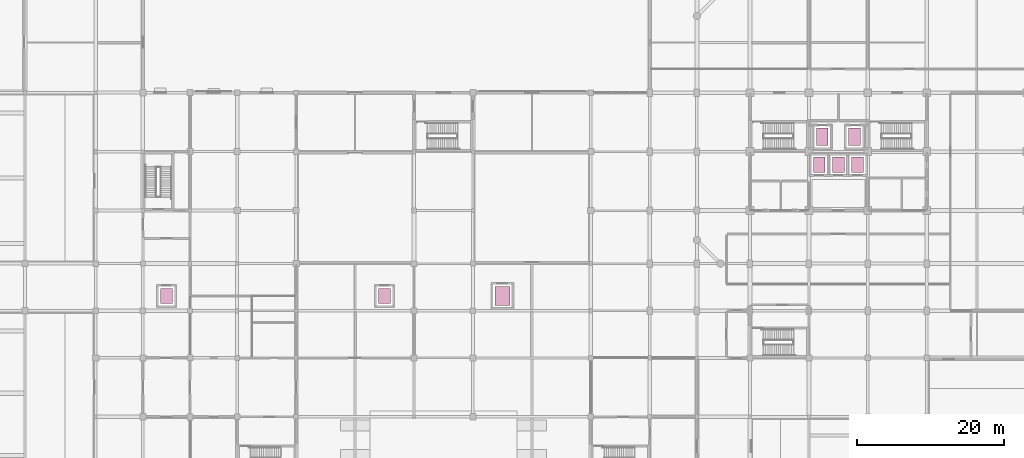
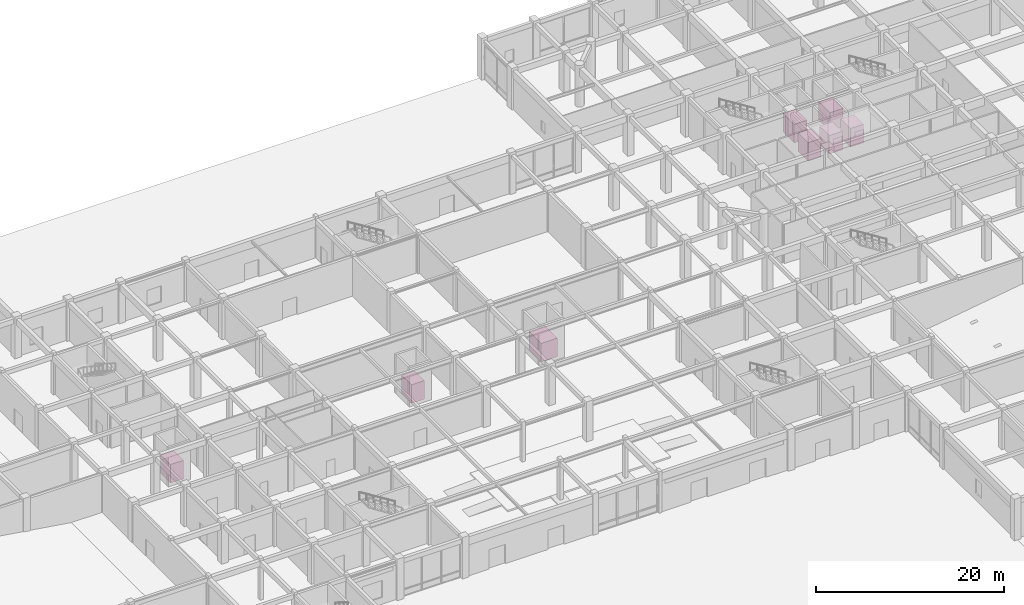
# One storey, part 40 of 40: 8 transport elements.
"""IFC4 building model written with IfcOpenShell, lengths in metres."""

from ifc_helpers import new_model, si_unit, direction, frame, origin, origin_2d, place, context, subcontext, project, spatial, rectangle, extrude, material, type_object, element, save


model = new_model("IFC4")

# Units and contexts
model_context = context("Model", 3, precision=1e-05, world=origin(), true_north=direction((0.0, 1.0)))
body_context = subcontext(model_context, "Body", "Model", "MODEL_VIEW")
ifc_project = project(units=[si_unit("LENGTHUNIT", "METRE"), si_unit("AREAUNIT", "SQUARE_METRE"), si_unit("VOLUMEUNIT", "CUBIC_METRE"), si_unit("PLANEANGLEUNIT", "RADIAN"), si_unit("MASSUNIT", "GRAM", prefix="KILO")], contexts=[model_context])

# Site, building, storey
site_placement = place(None, origin())
site = spatial("IfcSite", under=ifc_project, at=site_placement, CompositionType="ELEMENT")
building_placement = place(site_placement, origin())
building = spatial("IfcBuilding", under=site, at=building_placement, Name="Vellmiral Cinema and Media Centre", CompositionType="ELEMENT")
storey_placement = place(building_placement, origin())
storey = spatial("IfcBuildingStorey", under=building, at=storey_placement, Name="L00", CompositionType="ELEMENT", Elevation=0.0)

# Transport elements
ifc_material_1 = material(Name="Stainless Steel Lift Car Assembly", Category="steel")
transport_element_type_1 = type_object("IfcTransportElementType", Name="LIFT-ELEV-FF", PredefinedType="ELEVATOR", material=ifc_material_1)
for number, where, z_axis, x_axis, name in (
    (1, (133.800048828125, 89.199951171875, 0.0), (0.0, 0.0, 1.0), (1.0, 0.0, 0.0), "Firefighting Lift LF-FF1"),
    (2, (138.199951171875, 89.199951171875, 0.0), (0.0, 0.0, 1.0), (1.0, 0.0, 0.0), "Firefighting Lift LF-FF2"),
):
    element("IfcTransportElement", number, at=place(storey_placement, frame(where, z_axis=z_axis, x_axis=x_axis)), inside=storey, type_object=transport_element_type_1, Name=name, PredefinedType="ELEVATOR", context=body_context, shape_type="SweptSolid", body=[
        extrude(rectangle(XDim=1.60009765625, YDim=2.39990234375, at=origin_2d()), origin(), (0.0, 0.0, 1.0), 2.39990234375),
    ])
ifc_material_2 = material(Name="Heavy-Duty Stainless Steel Goods Lift Car", Category="steel")
transport_element_type_2 = type_object("IfcTransportElementType", Name="LIFT-ELEV-GOODS", PredefinedType="ELEVATOR", material=ifc_material_2)
transport_element_placement = place(storey_placement, frame((90.39990234375, 67.60009765625, 0.0), z_axis=(0.0, 0.0, 1.0), x_axis=(1.0, 0.0, 0.0)))
element("IfcTransportElement", 3, at=transport_element_placement, inside=storey, type_object=transport_element_type_2, Name="Studio and Archive Goods Lift LF-G1", PredefinedType="ELEVATOR", context=body_context, shape_type="SweptSolid", body=[
    extrude(rectangle(XDim=2.0, YDim=2.60009765625, at=origin_2d()), origin(), (0.0, 0.0, 1.0), 2.39990234375),
])
ifc_material_3 = material(Name="Stainless Steel Lift Car Assembly", Category="steel")
transport_element_type_3 = type_object("IfcTransportElementType", Name="LIFT-ELEV-PASS", PredefinedType="ELEVATOR", material=ifc_material_3)
for number, where, z_axis, x_axis, name in (
    (4, (133.39990234375, 85.39990234375, 0.0), (0.0, 0.0, 1.0), (1.0, 0.0, 0.0), "Tower Passenger Lift LF-P1"),
    (5, (136.0, 85.39990234375, 0.0), (0.0, 0.0, 1.0), (1.0, 0.0, 0.0), "Tower Passenger Lift LF-P2"),
    (6, (138.60009765625, 85.39990234375, 0.0), (0.0, 0.0, 1.0), (1.0, 0.0, 0.0), "Tower Passenger Lift LF-P3"),
    (7, (44.800048828125, 67.60009765625, 0.0), (0.0, 0.0, 1.0), (1.0, 0.0, 0.0), "Podium Cinema Lift LF-C1"),
    (8, (74.39990234375, 67.60009765625, 0.0), (0.0, 0.0, 1.0), (1.0, 0.0, 0.0), "Podium Library Lift LF-C2"),
):
    element("IfcTransportElement", number, at=place(storey_placement, frame(where, z_axis=z_axis, x_axis=x_axis)), inside=storey, type_object=transport_element_type_3, Name=name, PredefinedType="ELEVATOR", context=body_context, shape_type="SweptSolid", body=[
        extrude(rectangle(XDim=1.60009765625, YDim=2.10009765625, at=origin_2d()), origin(), (0.0, 0.0, 1.0), 2.39990234375),
    ])

save(model, "model.ifc")
